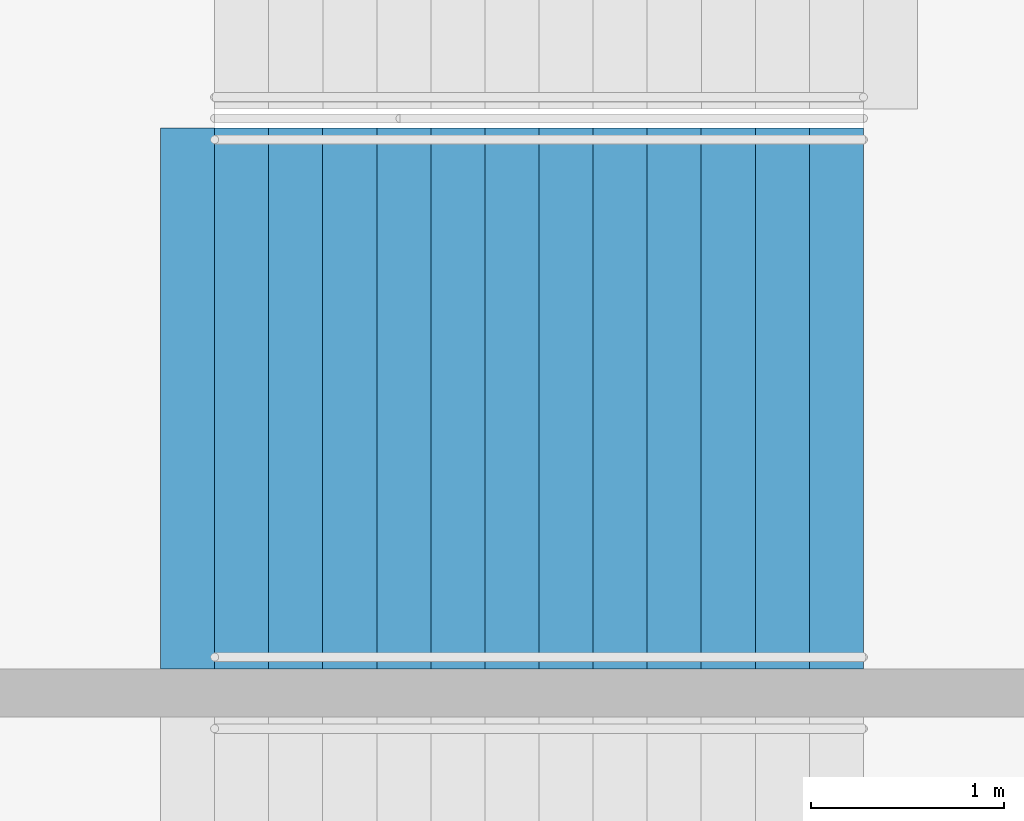
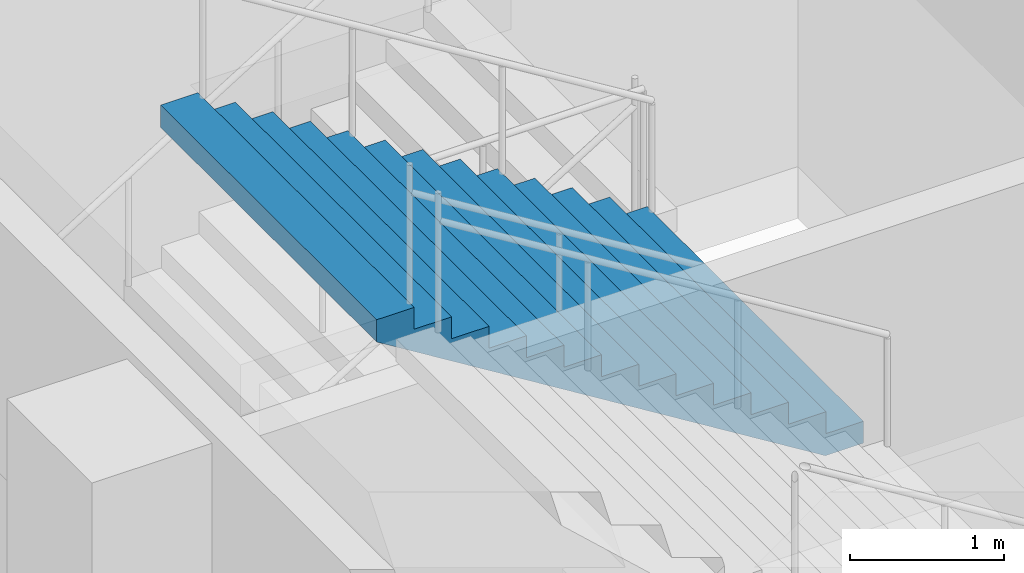
# One storey, part 173 of 199: 1 stair flight, 1 element without a shape of its own.
"""IFC4 building model written with IfcOpenShell, lengths in metres."""

from ifc_helpers import new_model, si_unit, direction, frame, origin, place, context, subcontext, project, spatial, faceted_brep, material, type_object, element, aggregate, save


model = new_model("IFC4")

# Units and contexts
model_context = context("Model", 3, precision=1e-05, world=origin(), true_north=direction((0.0, 1.0)))
body_context = subcontext(model_context, "Body", "Model", "MODEL_VIEW")
ifc_project = project(units=[si_unit("LENGTHUNIT", "METRE"), si_unit("AREAUNIT", "SQUARE_METRE"), si_unit("VOLUMEUNIT", "CUBIC_METRE"), si_unit("PLANEANGLEUNIT", "RADIAN"), si_unit("MASSUNIT", "GRAM", prefix="KILO")], contexts=[model_context])

# Site, building, storey
site_placement = place(None, origin())
site = spatial("IfcSite", under=ifc_project, at=site_placement, CompositionType="ELEMENT")
building_placement = place(site_placement, origin())
building = spatial("IfcBuilding", under=site, at=building_placement, Name="Ogive Plaza Stadium", CompositionType="ELEMENT")
storey_placement = place(building_placement, frame((0.0, 0.0, 9.0)))
storey = spatial("IfcBuildingStorey", under=building, at=storey_placement, Name="L02", CompositionType="ELEMENT", Elevation=9.0)

# Stair, stair flight
ifc_material_1 = material(Name="Concrete C40/50", Category="concrete")
stair_type = type_object("IfcStairType", Name="Exit stair", PredefinedType="STRAIGHT_RUN_STAIR", material=ifc_material_1)
stair_placement = place(storey_placement, origin())
stair = element("IfcStair", 1, at=stair_placement, inside=storey, type_object=stair_type, Name="Exit stair ST02B L02 to L03", PredefinedType="STRAIGHT_RUN_STAIR")
ifc_material_2 = material(Name="Concrete C40/50", Category="concrete")
stair_flight_type = type_object("IfcStairFlightType", Name="Exit stair flight", PredefinedType="STRAIGHT", material=ifc_material_2)
stair_flight_placement = place(storey_placement, frame((79.7099609375, 39.02490234375, 2.25), z_axis=(0.0, 0.0, 1.0), x_axis=(-1.0, 0.0, 0.0)))
stair_flight = element("IfcStairFlight", 2, at=stair_flight_placement, type_object=stair_flight_type, Name="ST02B flight 2", NumberOfRisers=13, NumberOfTreads=12, PredefinedType="STRAIGHT", RiserHeight=0.173076923, TreadLength=0.28, context=body_context, shape_type="Brep", body=[
    faceted_brep([(0.28515625, -1.39990234375, 0.0), (3.639892578125, -1.39990234375, 2.07373046875), (3.639892578125, -1.39990234375, 2.25), (3.360107421875, -1.39990234375, 2.25), (3.360107421875, -1.39990234375, 2.076904296875), (3.080078125, -1.39990234375, 2.076904296875), (3.080078125, -1.39990234375, 1.90380859375), (2.800048828125, -1.39990234375, 1.90380859375), (2.800048828125, -1.39990234375, 1.730712890625), (2.52001953125, -1.39990234375, 1.730712890625), (2.52001953125, -1.39990234375, 1.5576171875), (2.239990234375, -1.39990234375, 1.5576171875), (2.239990234375, -1.39990234375, 1.384521484375), (1.9599609375, -1.39990234375, 1.384521484375), (1.9599609375, -1.39990234375, 1.21142578125), (1.679931640625, -1.39990234375, 1.21142578125), (1.679931640625, -1.39990234375, 1.03857421875), (1.39990234375, -1.39990234375, 1.03857421875), (1.39990234375, -1.39990234375, 0.865478515625), (1.1201171875, -1.39990234375, 0.865478515625), (1.1201171875, -1.39990234375, 0.6923828125), (0.840087890625, -1.39990234375, 0.6923828125), (0.840087890625, -1.39990234375, 0.519287109375), (0.56005859375, -1.39990234375, 0.519287109375), (0.56005859375, -1.39990234375, 0.34619140625), (0.280029296875, -1.39990234375, 0.34619140625), (0.280029296875, -1.39990234375, 0.173095703125), (0.0, -1.39990234375, 0.173095703125), (0.0, -1.39990234375, 0.0), (0.0, 1.39990234375, 0.0), (0.0, 1.39990234375, 0.173095703125), (0.280029296875, 1.39990234375, 0.173095703125), (0.280029296875, 1.39990234375, 0.34619140625), (0.56005859375, 1.39990234375, 0.34619140625), (0.56005859375, 1.39990234375, 0.519287109375), (0.840087890625, 1.39990234375, 0.519287109375), (0.840087890625, 1.39990234375, 0.6923828125), (1.1201171875, 1.39990234375, 0.6923828125), (1.1201171875, 1.39990234375, 0.865478515625), (1.39990234375, 1.39990234375, 0.865478515625), (1.39990234375, 1.39990234375, 1.03857421875), (1.679931640625, 1.39990234375, 1.03857421875), (1.679931640625, 1.39990234375, 1.21142578125), (1.9599609375, 1.39990234375, 1.21142578125), (1.9599609375, 1.39990234375, 1.384521484375), (2.239990234375, 1.39990234375, 1.384521484375), (2.239990234375, 1.39990234375, 1.5576171875), (2.52001953125, 1.39990234375, 1.5576171875), (2.52001953125, 1.39990234375, 1.730712890625), (2.800048828125, 1.39990234375, 1.730712890625), (2.800048828125, 1.39990234375, 1.90380859375), (3.080078125, 1.39990234375, 1.90380859375), (3.080078125, 1.39990234375, 2.076904296875), (3.360107421875, 1.39990234375, 2.076904296875), (3.360107421875, 1.39990234375, 2.25), (3.639892578125, 1.39990234375, 2.25), (3.639892578125, 1.39990234375, 2.07373046875), (0.28515625, 1.39990234375, 0.0), (0.28515625, -1.0888671875, 0.0), (3.639892578125, -1.0888671875, 2.07373046875), (0.28515625, -0.77783203125, 0.0), (3.639892578125, -0.77783203125, 2.07373046875), (0.28515625, -0.466796875, 0.0), (3.639892578125, -0.466796875, 2.07373046875), (0.28515625, -0.155517578125, 0.0), (3.639892578125, -0.155517578125, 2.07373046875), (0.28515625, 0.155517578125, 0.0), (3.639892578125, 0.155517578125, 2.07373046875), (0.28515625, 0.466796875, 0.0), (3.639892578125, 0.466796875, 2.07373046875), (0.28515625, 0.77783203125, 0.0), (3.639892578125, 0.77783203125, 2.07373046875), (0.28515625, 1.0888671875, 0.0), (3.639892578125, 1.0888671875, 2.07373046875), (3.639892578125, -1.0888671875, 2.25), (3.639892578125, -0.77783203125, 2.25), (3.639892578125, -0.466796875, 2.25), (3.639892578125, -0.155517578125, 2.25), (3.639892578125, 0.155517578125, 2.25), (3.639892578125, 0.466796875, 2.25), (3.639892578125, 0.77783203125, 2.25), (3.639892578125, 1.0888671875, 2.25), (3.360107421875, -1.0888671875, 2.25), (3.360107421875, -0.77783203125, 2.25), (3.360107421875, -0.466796875, 2.25), (3.360107421875, -0.155517578125, 2.25), (3.360107421875, 0.155517578125, 2.25), (3.360107421875, 0.466796875, 2.25), (3.360107421875, 0.77783203125, 2.25), (3.360107421875, 1.0888671875, 2.25), (3.360107421875, -1.0888671875, 2.076904296875), (3.360107421875, -0.77783203125, 2.076904296875), (3.360107421875, -0.466796875, 2.076904296875), (3.360107421875, -0.155517578125, 2.076904296875), (3.360107421875, 0.155517578125, 2.076904296875), (3.360107421875, 0.466796875, 2.076904296875), (3.360107421875, 0.77783203125, 2.076904296875), (3.360107421875, 1.0888671875, 2.076904296875), (3.080078125, -1.0888671875, 2.076904296875), (3.080078125, -0.77783203125, 2.076904296875), (3.080078125, -0.466796875, 2.076904296875), (3.080078125, -0.155517578125, 2.076904296875), (3.080078125, 0.155517578125, 2.076904296875), (3.080078125, 0.466796875, 2.076904296875), (3.080078125, 0.77783203125, 2.076904296875), (3.080078125, 1.0888671875, 2.076904296875), (3.080078125, -1.0888671875, 1.90380859375), (3.080078125, -0.77783203125, 1.90380859375), (3.080078125, -0.466796875, 1.90380859375), (3.080078125, -0.155517578125, 1.90380859375), (3.080078125, 0.155517578125, 1.90380859375), (3.080078125, 0.466796875, 1.90380859375), (3.080078125, 0.77783203125, 1.90380859375), (3.080078125, 1.0888671875, 1.90380859375), (2.800048828125, -1.0888671875, 1.90380859375), (2.800048828125, -0.77783203125, 1.90380859375), (2.800048828125, -0.466796875, 1.90380859375), (2.800048828125, -0.155517578125, 1.90380859375), (2.800048828125, 0.155517578125, 1.90380859375), (2.800048828125, 0.466796875, 1.90380859375), (2.800048828125, 0.77783203125, 1.90380859375), (2.800048828125, 1.0888671875, 1.90380859375), (2.800048828125, -1.0888671875, 1.730712890625), (2.800048828125, -0.77783203125, 1.730712890625), (2.800048828125, -0.466796875, 1.730712890625), (2.800048828125, -0.155517578125, 1.730712890625), (2.800048828125, 0.155517578125, 1.730712890625), (2.800048828125, 0.466796875, 1.730712890625), (2.800048828125, 0.77783203125, 1.730712890625), (2.800048828125, 1.0888671875, 1.730712890625), (2.52001953125, -1.0888671875, 1.730712890625), (2.52001953125, -0.77783203125, 1.730712890625), (2.52001953125, -0.466796875, 1.730712890625), (2.52001953125, -0.155517578125, 1.730712890625), (2.52001953125, 0.155517578125, 1.730712890625), (2.52001953125, 0.466796875, 1.730712890625), (2.52001953125, 0.77783203125, 1.730712890625), (2.52001953125, 1.0888671875, 1.730712890625), (2.52001953125, -1.0888671875, 1.5576171875), (2.52001953125, -0.77783203125, 1.5576171875), (2.52001953125, -0.466796875, 1.5576171875), (2.52001953125, -0.155517578125, 1.5576171875), (2.52001953125, 0.155517578125, 1.5576171875), (2.52001953125, 0.466796875, 1.5576171875), (2.52001953125, 0.77783203125, 1.5576171875), (2.52001953125, 1.0888671875, 1.5576171875), (2.239990234375, -1.0888671875, 1.5576171875), (2.239990234375, -0.77783203125, 1.5576171875), (2.239990234375, -0.466796875, 1.5576171875), (2.239990234375, -0.155517578125, 1.5576171875), (2.239990234375, 0.155517578125, 1.5576171875), (2.239990234375, 0.466796875, 1.5576171875), (2.239990234375, 0.77783203125, 1.5576171875), (2.239990234375, 1.0888671875, 1.5576171875), (2.239990234375, -1.0888671875, 1.384521484375), (2.239990234375, -0.77783203125, 1.384521484375), (2.239990234375, -0.466796875, 1.384521484375), (2.239990234375, -0.155517578125, 1.384521484375), (2.239990234375, 0.155517578125, 1.384521484375), (2.239990234375, 0.466796875, 1.384521484375), (2.239990234375, 0.77783203125, 1.384521484375), (2.239990234375, 1.0888671875, 1.384521484375), (1.9599609375, -1.0888671875, 1.384521484375), (1.9599609375, -0.77783203125, 1.384521484375), (1.9599609375, -0.466796875, 1.384521484375), (1.9599609375, -0.155517578125, 1.384521484375), (1.9599609375, 0.155517578125, 1.384521484375), (1.9599609375, 0.466796875, 1.384521484375), (1.9599609375, 0.77783203125, 1.384521484375), (1.9599609375, 1.0888671875, 1.384521484375), (1.9599609375, -1.0888671875, 1.21142578125), (1.9599609375, -0.77783203125, 1.21142578125), (1.9599609375, -0.466796875, 1.21142578125), (1.9599609375, -0.155517578125, 1.21142578125), (1.9599609375, 0.155517578125, 1.21142578125), (1.9599609375, 0.466796875, 1.21142578125), (1.9599609375, 0.77783203125, 1.21142578125), (1.9599609375, 1.0888671875, 1.21142578125), (1.679931640625, -1.0888671875, 1.21142578125), (1.679931640625, -0.77783203125, 1.21142578125), (1.679931640625, -0.466796875, 1.21142578125), (1.679931640625, -0.155517578125, 1.21142578125), (1.679931640625, 0.155517578125, 1.21142578125), (1.679931640625, 0.466796875, 1.21142578125), (1.679931640625, 0.77783203125, 1.21142578125), (1.679931640625, 1.0888671875, 1.21142578125), (1.679931640625, -1.0888671875, 1.03857421875), (1.679931640625, -0.77783203125, 1.03857421875), (1.679931640625, -0.466796875, 1.03857421875), (1.679931640625, -0.155517578125, 1.03857421875), (1.679931640625, 0.155517578125, 1.03857421875), (1.679931640625, 0.466796875, 1.03857421875), (1.679931640625, 0.77783203125, 1.03857421875), (1.679931640625, 1.0888671875, 1.03857421875), (1.39990234375, -1.0888671875, 1.03857421875), (1.39990234375, -0.77783203125, 1.03857421875), (1.39990234375, -0.466796875, 1.03857421875), (1.39990234375, -0.155517578125, 1.03857421875), (1.39990234375, 0.155517578125, 1.03857421875), (1.39990234375, 0.466796875, 1.03857421875), (1.39990234375, 0.77783203125, 1.03857421875), (1.39990234375, 1.0888671875, 1.03857421875), (1.39990234375, -1.0888671875, 0.865478515625), (1.39990234375, -0.77783203125, 0.865478515625), (1.39990234375, -0.466796875, 0.865478515625), (1.39990234375, -0.155517578125, 0.865478515625), (1.39990234375, 0.155517578125, 0.865478515625), (1.39990234375, 0.466796875, 0.865478515625), (1.39990234375, 0.77783203125, 0.865478515625), (1.39990234375, 1.0888671875, 0.865478515625), (1.1201171875, -1.0888671875, 0.865478515625), (1.1201171875, -0.77783203125, 0.865478515625), (1.1201171875, -0.466796875, 0.865478515625), (1.1201171875, -0.155517578125, 0.865478515625), (1.1201171875, 0.155517578125, 0.865478515625), (1.1201171875, 0.466796875, 0.865478515625), (1.1201171875, 0.77783203125, 0.865478515625), (1.1201171875, 1.0888671875, 0.865478515625), (1.1201171875, -1.0888671875, 0.6923828125), (1.1201171875, -0.77783203125, 0.6923828125), (1.1201171875, -0.466796875, 0.6923828125), (1.1201171875, -0.155517578125, 0.6923828125), (1.1201171875, 0.155517578125, 0.6923828125), (1.1201171875, 0.466796875, 0.6923828125), (1.1201171875, 0.77783203125, 0.6923828125), (1.1201171875, 1.0888671875, 0.6923828125), (0.840087890625, -1.0888671875, 0.6923828125), (0.840087890625, -0.77783203125, 0.6923828125), (0.840087890625, -0.466796875, 0.6923828125), (0.840087890625, -0.155517578125, 0.6923828125), (0.840087890625, 0.155517578125, 0.6923828125), (0.840087890625, 0.466796875, 0.6923828125), (0.840087890625, 0.77783203125, 0.6923828125), (0.840087890625, 1.0888671875, 0.6923828125), (0.840087890625, -1.0888671875, 0.519287109375), (0.840087890625, -0.77783203125, 0.519287109375), (0.840087890625, -0.466796875, 0.519287109375), (0.840087890625, -0.155517578125, 0.519287109375), (0.840087890625, 0.155517578125, 0.519287109375), (0.840087890625, 0.466796875, 0.519287109375), (0.840087890625, 0.77783203125, 0.519287109375), (0.840087890625, 1.0888671875, 0.519287109375), (0.56005859375, -1.0888671875, 0.519287109375), (0.56005859375, -0.77783203125, 0.519287109375), (0.56005859375, -0.466796875, 0.519287109375), (0.56005859375, -0.155517578125, 0.519287109375), (0.56005859375, 0.155517578125, 0.519287109375), (0.56005859375, 0.466796875, 0.519287109375), (0.56005859375, 0.77783203125, 0.519287109375), (0.56005859375, 1.0888671875, 0.519287109375), (0.56005859375, -1.0888671875, 0.34619140625), (0.56005859375, -0.77783203125, 0.34619140625), (0.56005859375, -0.466796875, 0.34619140625), (0.56005859375, -0.155517578125, 0.34619140625), (0.56005859375, 0.155517578125, 0.34619140625), (0.56005859375, 0.466796875, 0.34619140625), (0.56005859375, 0.77783203125, 0.34619140625), (0.56005859375, 1.0888671875, 0.34619140625), (0.280029296875, -1.0888671875, 0.34619140625), (0.280029296875, -0.77783203125, 0.34619140625), (0.280029296875, -0.466796875, 0.34619140625), (0.280029296875, -0.155517578125, 0.34619140625), (0.280029296875, 0.155517578125, 0.34619140625), (0.280029296875, 0.466796875, 0.34619140625), (0.280029296875, 0.77783203125, 0.34619140625), (0.280029296875, 1.0888671875, 0.34619140625), (0.280029296875, -1.0888671875, 0.173095703125), (0.280029296875, -0.77783203125, 0.173095703125), (0.280029296875, -0.466796875, 0.173095703125), (0.280029296875, -0.155517578125, 0.173095703125), (0.280029296875, 0.155517578125, 0.173095703125), (0.280029296875, 0.466796875, 0.173095703125), (0.280029296875, 0.77783203125, 0.173095703125), (0.280029296875, 1.0888671875, 0.173095703125), (0.0, -1.0888671875, 0.173095703125), (0.0, -0.77783203125, 0.173095703125), (0.0, -0.466796875, 0.173095703125), (0.0, -0.155517578125, 0.173095703125), (0.0, 0.155517578125, 0.173095703125), (0.0, 0.466796875, 0.173095703125), (0.0, 0.77783203125, 0.173095703125), (0.0, 1.0888671875, 0.173095703125), (0.0, -1.0888671875, 0.0), (0.0, -0.77783203125, 0.0), (0.0, -0.466796875, 0.0), (0.0, -0.155517578125, 0.0), (0.0, 0.155517578125, 0.0), (0.0, 0.466796875, 0.0), (0.0, 0.77783203125, 0.0), (0.0, 1.0888671875, 0.0)], [[[0, 1, 2, 3, 4, 5, 6, 7, 8, 9, 10, 11, 12, 13, 14, 15, 16, 17, 18, 19, 20, 21, 22, 23, 24, 25, 26, 27, 28]], [[29, 30, 31, 32, 33, 34, 35, 36, 37, 38, 39, 40, 41, 42, 43, 44, 45, 46, 47, 48, 49, 50, 51, 52, 53, 54, 55, 56, 57]], [[0, 58, 59, 1]], [[58, 60, 61, 59]], [[60, 62, 63, 61]], [[62, 64, 65, 63]], [[64, 66, 67, 65]], [[66, 68, 69, 67]], [[68, 70, 71, 69]], [[70, 72, 73, 71]], [[72, 57, 56, 73]], [[1, 59, 74, 2]], [[59, 61, 75, 74]], [[61, 63, 76, 75]], [[63, 65, 77, 76]], [[65, 67, 78, 77]], [[67, 69, 79, 78]], [[69, 71, 80, 79]], [[71, 73, 81, 80]], [[73, 56, 55, 81]], [[2, 74, 82, 3]], [[74, 75, 83, 82]], [[75, 76, 84, 83]], [[76, 77, 85, 84]], [[77, 78, 86, 85]], [[78, 79, 87, 86]], [[79, 80, 88, 87]], [[80, 81, 89, 88]], [[81, 55, 54, 89]], [[3, 82, 90, 4]], [[82, 83, 91, 90]], [[83, 84, 92, 91]], [[84, 85, 93, 92]], [[85, 86, 94, 93]], [[86, 87, 95, 94]], [[87, 88, 96, 95]], [[88, 89, 97, 96]], [[89, 54, 53, 97]], [[4, 90, 98, 5]], [[90, 91, 99, 98]], [[91, 92, 100, 99]], [[92, 93, 101, 100]], [[93, 94, 102, 101]], [[94, 95, 103, 102]], [[95, 96, 104, 103]], [[96, 97, 105, 104]], [[97, 53, 52, 105]], [[5, 98, 106, 6]], [[98, 99, 107, 106]], [[99, 100, 108, 107]], [[100, 101, 109, 108]], [[101, 102, 110, 109]], [[102, 103, 111, 110]], [[103, 104, 112, 111]], [[104, 105, 113, 112]], [[105, 52, 51, 113]], [[6, 106, 114, 7]], [[106, 107, 115, 114]], [[107, 108, 116, 115]], [[108, 109, 117, 116]], [[109, 110, 118, 117]], [[110, 111, 119, 118]], [[111, 112, 120, 119]], [[112, 113, 121, 120]], [[113, 51, 50, 121]], [[7, 114, 122, 8]], [[114, 115, 123, 122]], [[115, 116, 124, 123]], [[116, 117, 125, 124]], [[117, 118, 126, 125]], [[118, 119, 127, 126]], [[119, 120, 128, 127]], [[120, 121, 129, 128]], [[121, 50, 49, 129]], [[8, 122, 130, 9]], [[122, 123, 131, 130]], [[123, 124, 132, 131]], [[124, 125, 133, 132]], [[125, 126, 134, 133]], [[126, 127, 135, 134]], [[127, 128, 136, 135]], [[128, 129, 137, 136]], [[129, 49, 48, 137]], [[9, 130, 138, 10]], [[130, 131, 139, 138]], [[131, 132, 140, 139]], [[132, 133, 141, 140]], [[133, 134, 142, 141]], [[134, 135, 143, 142]], [[135, 136, 144, 143]], [[136, 137, 145, 144]], [[137, 48, 47, 145]], [[10, 138, 146, 11]], [[138, 139, 147, 146]], [[139, 140, 148, 147]], [[140, 141, 149, 148]], [[141, 142, 150, 149]], [[142, 143, 151, 150]], [[143, 144, 152, 151]], [[144, 145, 153, 152]], [[145, 47, 46, 153]], [[11, 146, 154, 12]], [[146, 147, 155, 154]], [[147, 148, 156, 155]], [[148, 149, 157, 156]], [[149, 150, 158, 157]], [[150, 151, 159, 158]], [[151, 152, 160, 159]], [[152, 153, 161, 160]], [[153, 46, 45, 161]], [[12, 154, 162, 13]], [[154, 155, 163, 162]], [[155, 156, 164, 163]], [[156, 157, 165, 164]], [[157, 158, 166, 165]], [[158, 159, 167, 166]], [[159, 160, 168, 167]], [[160, 161, 169, 168]], [[161, 45, 44, 169]], [[13, 162, 170, 14]], [[162, 163, 171, 170]], [[163, 164, 172, 171]], [[164, 165, 173, 172]], [[165, 166, 174, 173]], [[166, 167, 175, 174]], [[167, 168, 176, 175]], [[168, 169, 177, 176]], [[169, 44, 43, 177]], [[14, 170, 178, 15]], [[170, 171, 179, 178]], [[171, 172, 180, 179]], [[172, 173, 181, 180]], [[173, 174, 182, 181]], [[174, 175, 183, 182]], [[175, 176, 184, 183]], [[176, 177, 185, 184]], [[177, 43, 42, 185]], [[15, 178, 186, 16]], [[178, 179, 187, 186]], [[179, 180, 188, 187]], [[180, 181, 189, 188]], [[181, 182, 190, 189]], [[182, 183, 191, 190]], [[183, 184, 192, 191]], [[184, 185, 193, 192]], [[185, 42, 41, 193]], [[16, 186, 194, 17]], [[186, 187, 195, 194]], [[187, 188, 196, 195]], [[188, 189, 197, 196]], [[189, 190, 198, 197]], [[190, 191, 199, 198]], [[191, 192, 200, 199]], [[192, 193, 201, 200]], [[193, 41, 40, 201]], [[17, 194, 202, 18]], [[194, 195, 203, 202]], [[195, 196, 204, 203]], [[196, 197, 205, 204]], [[197, 198, 206, 205]], [[198, 199, 207, 206]], [[199, 200, 208, 207]], [[200, 201, 209, 208]], [[201, 40, 39, 209]], [[18, 202, 210, 19]], [[202, 203, 211, 210]], [[203, 204, 212, 211]], [[204, 205, 213, 212]], [[205, 206, 214, 213]], [[206, 207, 215, 214]], [[207, 208, 216, 215]], [[208, 209, 217, 216]], [[209, 39, 38, 217]], [[19, 210, 218, 20]], [[210, 211, 219, 218]], [[211, 212, 220, 219]], [[212, 213, 221, 220]], [[213, 214, 222, 221]], [[214, 215, 223, 222]], [[215, 216, 224, 223]], [[216, 217, 225, 224]], [[217, 38, 37, 225]], [[20, 218, 226, 21]], [[218, 219, 227, 226]], [[219, 220, 228, 227]], [[220, 221, 229, 228]], [[221, 222, 230, 229]], [[222, 223, 231, 230]], [[223, 224, 232, 231]], [[224, 225, 233, 232]], [[225, 37, 36, 233]], [[21, 226, 234, 22]], [[226, 227, 235, 234]], [[227, 228, 236, 235]], [[228, 229, 237, 236]], [[229, 230, 238, 237]], [[230, 231, 239, 238]], [[231, 232, 240, 239]], [[232, 233, 241, 240]], [[233, 36, 35, 241]], [[22, 234, 242, 23]], [[234, 235, 243, 242]], [[235, 236, 244, 243]], [[236, 237, 245, 244]], [[237, 238, 246, 245]], [[238, 239, 247, 246]], [[239, 240, 248, 247]], [[240, 241, 249, 248]], [[241, 35, 34, 249]], [[23, 242, 250, 24]], [[242, 243, 251, 250]], [[243, 244, 252, 251]], [[244, 245, 253, 252]], [[245, 246, 254, 253]], [[246, 247, 255, 254]], [[247, 248, 256, 255]], [[248, 249, 257, 256]], [[249, 34, 33, 257]], [[24, 250, 258, 25]], [[250, 251, 259, 258]], [[251, 252, 260, 259]], [[252, 253, 261, 260]], [[253, 254, 262, 261]], [[254, 255, 263, 262]], [[255, 256, 264, 263]], [[256, 257, 265, 264]], [[257, 33, 32, 265]], [[25, 258, 266, 26]], [[258, 259, 267, 266]], [[259, 260, 268, 267]], [[260, 261, 269, 268]], [[261, 262, 270, 269]], [[262, 263, 271, 270]], [[263, 264, 272, 271]], [[264, 265, 273, 272]], [[265, 32, 31, 273]], [[26, 266, 274, 27]], [[266, 267, 275, 274]], [[267, 268, 276, 275]], [[268, 269, 277, 276]], [[269, 270, 278, 277]], [[270, 271, 279, 278]], [[271, 272, 280, 279]], [[272, 273, 281, 280]], [[273, 31, 30, 281]], [[27, 274, 282, 28]], [[274, 275, 283, 282]], [[275, 276, 284, 283]], [[276, 277, 285, 284]], [[277, 278, 286, 285]], [[278, 279, 287, 286]], [[279, 280, 288, 287]], [[280, 281, 289, 288]], [[281, 30, 29, 289]], [[28, 282, 58, 0]], [[282, 283, 60, 58]], [[283, 284, 62, 60]], [[284, 285, 64, 62]], [[285, 286, 66, 64]], [[286, 287, 68, 66]], [[287, 288, 70, 68]], [[288, 289, 72, 70]], [[289, 29, 57, 72]]]),
])
aggregate(stair, [stair_flight])

save(model, "model.ifc")
